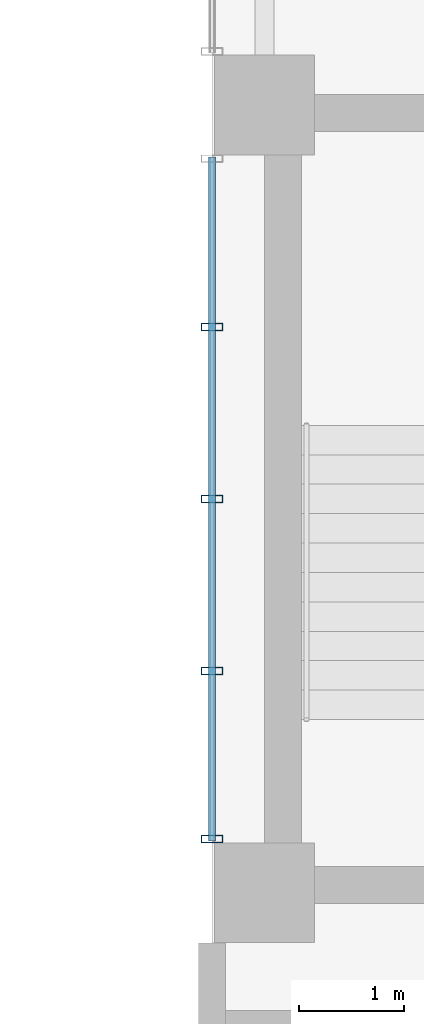
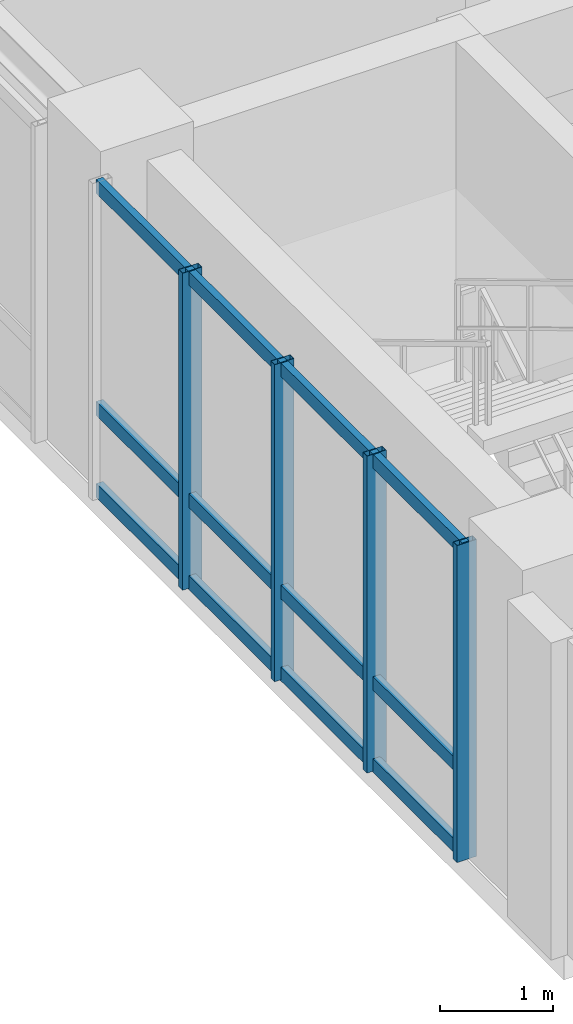
# One storey, part 4 of 24: 7 members, 1 element without a shape of its own.
"""IFC4 building model written with IfcOpenShell, lengths in metres."""

from ifc_helpers import new_model, si_unit, direction, frame, origin, origin_2d, place, context, subcontext, project, spatial, hollow_rectangle, extrude, source, transform, mapped, material, layer, layer_set, material_profile, profile_set, type_object, element, aggregate, save


model = new_model("IFC4")

# Units and contexts
model_context = context("Model", 3, precision=1e-05, world=origin(), true_north=direction((0.0, 1.0)))
body_context = subcontext(model_context, "Body", "Model", "MODEL_VIEW")
ifc_project = project(units=[si_unit("LENGTHUNIT", "METRE"), si_unit("AREAUNIT", "SQUARE_METRE"), si_unit("VOLUMEUNIT", "CUBIC_METRE"), si_unit("PLANEANGLEUNIT", "RADIAN"), si_unit("MASSUNIT", "GRAM", prefix="KILO")], contexts=[model_context])

# Site, building, storey
site_placement = place(None, origin())
site = spatial("IfcSite", under=ifc_project, at=site_placement, CompositionType="ELEMENT")
building_placement = place(site_placement, origin())
building = spatial("IfcBuilding", under=site, at=building_placement, Name="Kaliganga Portal Commons", CompositionType="ELEMENT")
storey_placement = place(building_placement, frame((0.0, 0.0, 242.5)))
storey = spatial("IfcBuildingStorey", under=building, at=storey_placement, Name="L62", CompositionType="ELEMENT", Elevation=242.5)

# Curtain wall, members
ifc_material_1 = material(Name="Anodized Aluminium and Laminated Low-E Glass", Category="aluminium")
ifc_layer = layer(ifc_material_1, 0.239990234375)
ifc_layer_set = layer_set([ifc_layer], Name="Anodized Aluminium and Laminated Low-E Glass")
curtain_wall_type = type_object("IfcCurtainWallType", Name="CW-SYS-04", PredefinedType="NOTDEFINED", material=ifc_layer_set)
curtain_wall_placement = place(storey_placement, origin())
curtain_wall = element("IfcCurtainWall", 1, at=curtain_wall_placement, inside=storey, type_object=curtain_wall_type, Name="CW 04 L62 P2E09S2", PredefinedType="NOTDEFINED")
ifc_material_2 = material(Name="Dark Bronze Anodized Aluminium", Category="aluminium")
ifc_material_profile_1 = material_profile(ifc_material_2, hollow_rectangle(XDim=0.070068359375, YDim=0.199951171875, WallThickness=0.00390625, at=origin_2d()), Name="ALU MULL 70x200x4")
ifc_profile_set_1 = profile_set([ifc_material_profile_1], Name="Dark Bronze Anodized Aluminium")
member_type_1 = type_object("IfcMemberType", Name="CW-MUL-220", PredefinedType="MULLION", material=ifc_profile_set_1)
shared_shape_1 = source(origin(), body_context, "Body", "SweptSolid", [
    extrude(hollow_rectangle(XDim=0.070068359375, YDim=0.199951171875, WallThickness=0.00390625, at=origin_2d()), origin(), (0.0, 0.0, 1.0), 3.43994140625),
])
member_1_placement = place(storey_placement, frame((35.5, 12.43701171875, 0.0), z_axis=(0.0, 0.0, 1.0), x_axis=(0.0, -1.0, 0.0)))
member_1 = element("IfcMember", 2, at=member_1_placement, type_object=member_type_1, Name="CW:04:L62:P2E09S2 Mullion 01", PredefinedType="MULLION", context=body_context, shape_type="MappedRepresentation", body=[
    mapped(shared_shape_1, transform((0.0, 0.0, 0.0), x_axis=(1.0, 0.0, 0.0), y_axis=(0.0, 1.0, 0.0), z_axis=(0.0, 0.0, 1.0), scale=1.0)),
])
member_2_placement = place(storey_placement, frame((35.5, 10.800048828125, 0.0), z_axis=(0.0, 0.0, 1.0), x_axis=(0.0, -1.0, 0.0)))
member_2 = element("IfcMember", 3, at=member_2_placement, type_object=member_type_1, Name="CW:04:L62:P2E09S2 Mullion 02", PredefinedType="MULLION", context=body_context, shape_type="MappedRepresentation", body=[
    mapped(shared_shape_1, transform((0.0, 0.0, 0.0), x_axis=(1.0, 0.0, 0.0), y_axis=(0.0, 1.0, 0.0), z_axis=(0.0, 0.0, 1.0), scale=1.0)),
])
member_3_placement = place(storey_placement, frame((35.5, 9.1630859375, 0.0), z_axis=(0.0, 0.0, 1.0), x_axis=(0.0, -1.0, 0.0)))
member_3 = element("IfcMember", 4, at=member_3_placement, type_object=member_type_1, Name="CW:04:L62:P2E09S2 Mullion 03", PredefinedType="MULLION", context=body_context, shape_type="MappedRepresentation", body=[
    mapped(shared_shape_1, transform((0.0, 0.0, 0.0), x_axis=(1.0, 0.0, 0.0), y_axis=(0.0, 1.0, 0.0), z_axis=(0.0, 0.0, 1.0), scale=1.0)),
])
member_4_placement = place(storey_placement, frame((35.5, 7.56103515625, 0.0), z_axis=(0.0, 0.0, 1.0), x_axis=(0.0, -1.0, 0.0)))
member_4 = element("IfcMember", 5, at=member_4_placement, type_object=member_type_1, Name="CW:04:L62:P2E09S2 Mullion 04", PredefinedType="MULLION", context=body_context, shape_type="MappedRepresentation", body=[
    mapped(shared_shape_1, transform((0.0, 0.0, 0.0), x_axis=(1.0, 0.0, 0.0), y_axis=(0.0, 1.0, 0.0), z_axis=(0.0, 0.0, 1.0), scale=1.0)),
])
ifc_material_profile_2 = material_profile(ifc_material_2, hollow_rectangle(XDim=0.070068359375, YDim=0.14990234375, WallThickness=0.00341796875, at=origin_2d()), Name="ALU TRAN 70x150x3.5")
ifc_profile_set_2 = profile_set([ifc_material_profile_2], Name="Dark Bronze Anodized Aluminium")
member_type_2 = type_object("IfcMemberType", Name="CW-TRN-150", PredefinedType="USERDEFINED", material=ifc_profile_set_2)
shared_shape_2 = source(origin(), body_context, "Body", "SweptSolid", [
    extrude(hollow_rectangle(XDim=0.070068359375, YDim=0.14990234375, WallThickness=0.00341796875, at=origin_2d()), origin(), (0.0, 0.0, 1.0), 6.508056640625),
])
member_5_placement = place(storey_placement, frame((35.5, 14.053955078125, 0.06005859375), z_axis=(0.0, -1.0, 0.0), x_axis=(1.0, 0.0, 0.0)))
member_5 = element("IfcMember", 6, at=member_5_placement, type_object=member_type_2, Name="CW:04:L62:P2E09S2 Transom 1", ObjectType="TRANSOM", PredefinedType="USERDEFINED", context=body_context, shape_type="MappedRepresentation", body=[
    mapped(shared_shape_2, transform((0.0, 0.0, 0.0), x_axis=(1.0, 0.0, 0.0), y_axis=(0.0, 1.0, 0.0), z_axis=(0.0, 0.0, 1.0), scale=1.0)),
])
member_6_placement = place(storey_placement, frame((35.5, 14.053955078125, 0.949951171875), z_axis=(0.0, -1.0, 0.0), x_axis=(1.0, 0.0, 0.0)))
member_6 = element("IfcMember", 7, at=member_6_placement, type_object=member_type_2, Name="CW:04:L62:P2E09S2 Transom 2", ObjectType="TRANSOM", PredefinedType="USERDEFINED", context=body_context, shape_type="MappedRepresentation", body=[
    mapped(shared_shape_2, transform((0.0, 0.0, 0.0), x_axis=(1.0, 0.0, 0.0), y_axis=(0.0, 1.0, 0.0), z_axis=(0.0, 0.0, 1.0), scale=1.0)),
])
member_7_placement = place(storey_placement, frame((35.5, 14.053955078125, 3.360107421875), z_axis=(0.0, -1.0, 0.0), x_axis=(1.0, 0.0, 0.0)))
member_7 = element("IfcMember", 8, at=member_7_placement, type_object=member_type_2, Name="CW:04:L62:P2E09S2 Transom 3", ObjectType="TRANSOM", PredefinedType="USERDEFINED", context=body_context, shape_type="MappedRepresentation", body=[
    mapped(shared_shape_2, transform((0.0, 0.0, 0.0), x_axis=(1.0, 0.0, 0.0), y_axis=(0.0, 1.0, 0.0), z_axis=(0.0, 0.0, 1.0), scale=1.0)),
])
aggregate(curtain_wall, [member_1, member_2, member_3, member_4, member_5, member_6, member_7])

save(model, "model.ifc")
